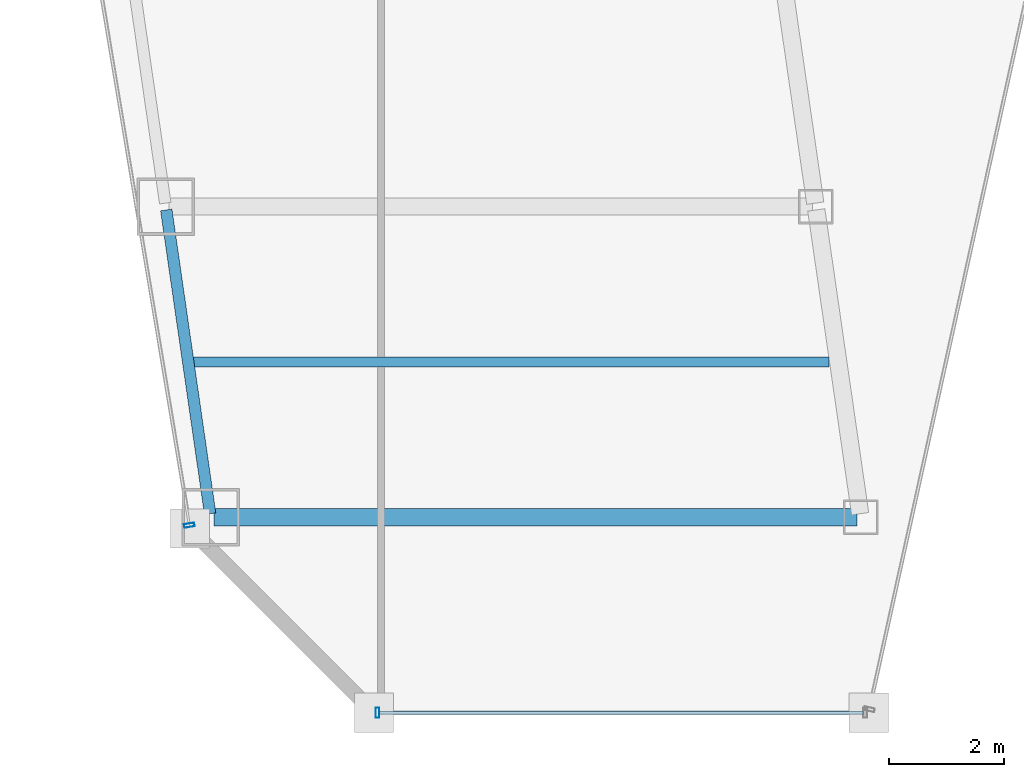
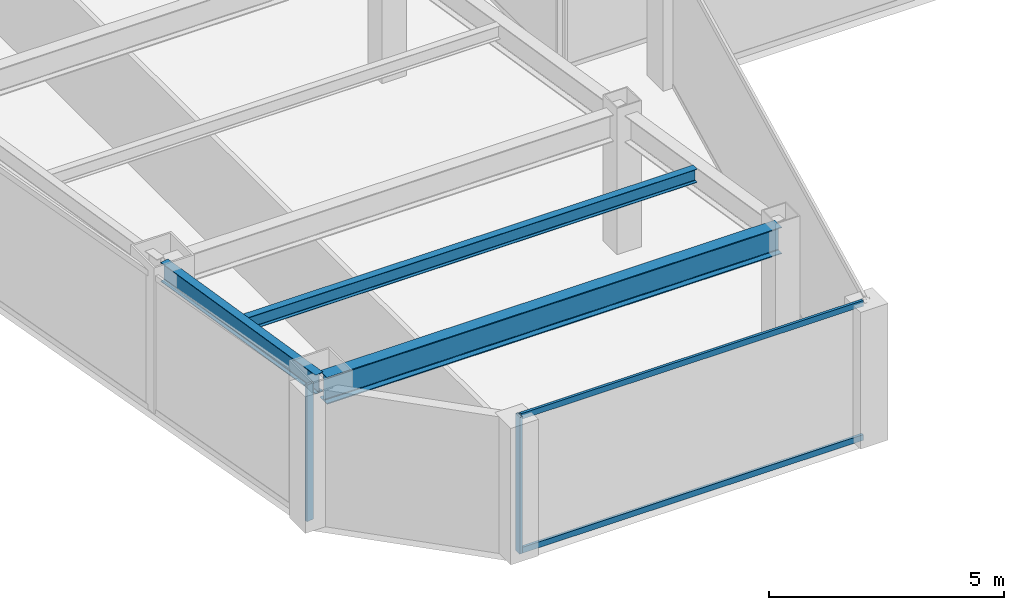
# One storey, part 2 of 36: 4 members, 3 beams, 2 elements without a shape of their own.
"""IFC4 building model written with IfcOpenShell, lengths in metres."""

import ifcopenshell
import ifcopenshell.guid

model = None  # the IFC model being written
_history = None  # IfcOwnerHistory: only IFC2X3 demands one
_inside = {}  # id of a spatial element -> (the spatial element, [elements in it])
_under = {}  # id of a project, library or spatial element -> (it, [spatial elements below it])
_declared = {}  # id of a project -> (the project, [libraries it declares])
_typed = {}  # id of a type object -> (the type object, [elements of that type])
_made_of = {}  # id of a material, layer set ... -> (it, [elements and type objects made of it])


def new_model(schema):
    """Start an empty IFC model of exactly this schema.

    Asked for "IFC4X3", IfcOpenShell would pick the latest addendum, in which some entities
    have other attributes; the version numbers below select the first issue.
    IFC2X3 requires an IfcOwnerHistory on every rooted entity: one is made here for all.
    """
    global model, _history
    if schema == "IFC4X3":
        model = ifcopenshell.file(schema_version=(4, 3, 0, 0))
    else:
        model = ifcopenshell.file(schema=schema)
    _inside.clear()
    _under.clear()
    _declared.clear()
    _typed.clear()
    _made_of.clear()
    _history = None
    if model.schema == "IFC2X3":
        org = make("IfcOrganization", Name="unknown")
        user = make(
            "IfcPersonAndOrganization",
            ThePerson=make("IfcPerson", FamilyName="unknown"),
            TheOrganization=org,
        )
        app = make(
            "IfcApplication",
            ApplicationDeveloper=org,
            Version="unknown",
            ApplicationFullName="unknown",
            ApplicationIdentifier="unknown",
        )
        _history = make(
            "IfcOwnerHistory",
            OwningUser=user,
            OwningApplication=app,
            ChangeAction="ADDED",
            CreationDate=0,
        )
    return model


def make(cls, **values):
    """One entity of the class cls with the attributes given. An attribute that is None is left unset."""
    return model.create_entity(
        cls, **{name: value for name, value in values.items() if value is not None}
    )


def rooted(cls, **values):
    """An entity with a GlobalId (a new one), such as an element, a storey or a relation."""
    return make(cls, GlobalId=ifcopenshell.guid.new(), OwnerHistory=_history, **values)


def si_unit(unit_type, name, prefix=None):
    """IfcSIUnit, for example si_unit("LENGTHUNIT", "METRE", prefix="MILLI")."""
    return make("IfcSIUnit", UnitType=unit_type, Prefix=prefix, Name=name)


def assignment(units):
    """IfcUnitAssignment: the units of a project."""
    return None if units is None else make("IfcUnitAssignment", Units=units)


def point(xyz):
    """IfcCartesianPoint."""
    return None if xyz is None else make("IfcCartesianPoint", Coordinates=xyz)


def direction(xyz):
    """IfcDirection."""
    return None if xyz is None else make("IfcDirection", DirectionRatios=xyz)


def frame(location, z_axis=None, x_axis=None):
    """IfcAxis2Placement3D, a coordinate frame: its origin and axes. An axis left out is left unset."""
    return make(
        "IfcAxis2Placement3D",
        Location=point(location),
        Axis=direction(z_axis),
        RefDirection=direction(x_axis),
    )


def frame_2d(location, x_axis=None):
    """IfcAxis2Placement2D, a coordinate frame in the plane: its origin and x axis."""
    return make(
        "IfcAxis2Placement2D", Location=point(location), RefDirection=direction(x_axis)
    )


def origin():
    """The frame at (0, 0, 0) with its axes left unset."""
    return frame((0.0, 0.0, 0.0))


def origin_2d():
    """The frame at (0, 0) in the plane with its x axis left unset."""
    return frame_2d((0.0, 0.0))


def place(relative_to, where):
    """IfcLocalPlacement: puts the frame where relative to a parent placement (None: the world)."""
    return make(
        "IfcLocalPlacement", PlacementRelTo=relative_to, RelativePlacement=where
    )


def context(
    kind, dimensions, precision=None, world=None, true_north=None, identifier=None
):
    """IfcGeometricRepresentationContext, for example the 3D "Model" context."""
    return make(
        "IfcGeometricRepresentationContext",
        ContextIdentifier=identifier,
        ContextType=kind,
        CoordinateSpaceDimension=dimensions,
        Precision=precision,
        WorldCoordinateSystem=world,
        TrueNorth=true_north,
    )


def subcontext(parent, identifier, kind, view, scale=None):
    """IfcGeometricRepresentationSubContext, for example "Body" below "Model"."""
    return make(
        "IfcGeometricRepresentationSubContext",
        ContextIdentifier=identifier,
        ContextType=kind,
        ParentContext=parent,
        TargetScale=scale,
        TargetView=view,
    )


def project(units=None, contexts=None):
    """IfcProject with its units and contexts."""
    return rooted(
        "IfcProject",
        Name="project",
        RepresentationContexts=contexts,
        UnitsInContext=assignment(units),
    )


def spatial(cls, under=None, at=None, **own):
    """A site, building, storey or space (cls), placed at a placement, below another one or the project."""
    s = rooted(cls, ObjectPlacement=at, **own)
    if under is not None:
        _under.setdefault(under.id(), (under, []))[1].append(s)
    return s


def profile(cls, at=None, kind="AREA", **sizes):
    """A parametric profile (cls). Its sizes go by their IFC names, for example OverallWidth=200.0."""
    return make(cls, ProfileType=kind, Position=at, **sizes)


def hollow_rectangle(**sizes):
    """IfcRectangleHollowProfileDef."""
    return profile("IfcRectangleHollowProfileDef", **sizes)


def i_section(**sizes):
    """IfcIShapeProfileDef."""
    return profile("IfcIShapeProfileDef", **sizes)


def extrude(swept, where, along, depth):
    """IfcExtrudedAreaSolid: the profile swept, set in the frame where, extruded along a direction by depth."""
    return make(
        "IfcExtrudedAreaSolid",
        SweptArea=swept,
        Position=where,
        ExtrudedDirection=direction(along),
        Depth=depth,
    )


def shape(context_of_items, identifier, shape_type, items):
    """IfcShapeRepresentation: the items that make up one representation, for example the "Body"."""
    return make(
        "IfcShapeRepresentation",
        ContextOfItems=context_of_items,
        RepresentationIdentifier=identifier,
        RepresentationType=shape_type,
        Items=items,
    )


def material(Name=None, Category=None):
    """IfcMaterial."""
    return make("IfcMaterial", Name=Name, Category=Category)


def material_profile(
    of_material, cross_section, Name=None, Category=None, Priority=None
):
    """IfcMaterialProfile: a cross section and its material."""
    return make(
        "IfcMaterialProfile",
        Name=Name,
        Material=of_material,
        Profile=cross_section,
        Priority=Priority,
        Category=Category,
    )


def profile_set(profiles, Name=None, composite=None):
    """IfcMaterialProfileSet."""
    return make(
        "IfcMaterialProfileSet",
        Name=Name,
        MaterialProfiles=profiles,
        CompositeProfile=composite,
    )


def made_of(thing, what):
    """Note that an element or type object is made of a material, layer set ...; save() writes the relation."""
    if what is not None:
        _made_of.setdefault(what.id(), (what, []))[1].append(thing)
    return thing


def type_object(cls, material=None, **own):
    """A type object (cls), such as IfcWallType, which elements share."""
    return made_of(rooted(cls, **own), material)


def element(
    cls,
    number,
    at=None,
    inside=None,
    cuts=None,
    type_object=None,
    material=None,
    context=None,
    identifier="Body",
    shape_type=None,
    held_by="IfcProductDefinitionShape",
    body=None,
    shapes=None,
    **own,
):
    """One element of the class cls, such as IfcWall. Its Tag is "e" and its number.

    at: its placement. inside: the storey or other place that contains it. cuts: it is an
    opening in that element (IfcRelVoidsElement). A single representation is given by context,
    identifier, shape_type and body (its items); several are given by shapes. held_by: the class
    of the entity that holds the representations. save() writes the other relations.
    """
    e = rooted(cls, Tag="e%d" % number, ObjectPlacement=at, **own)
    if body is not None:
        shapes = [shape(context, identifier, shape_type, body)]
    if shapes is not None:
        e.Representation = make(held_by, Representations=shapes)
    if inside is not None:
        _inside.setdefault(inside.id(), (inside, []))[1].append(e)
    if cuts is not None:
        rooted(
            "IfcRelVoidsElement", RelatingBuildingElement=cuts, RelatedOpeningElement=e
        )
    if type_object is not None:
        _typed.setdefault(type_object.id(), (type_object, []))[1].append(e)
    return made_of(e, material)


def aggregate(whole, parts):
    """IfcRelAggregates: a whole, such as a stair, and the parts it consists of."""
    return rooted("IfcRelAggregates", RelatingObject=whole, RelatedObjects=parts)


def save(model, path):
    """Write the relations noted so far, then the file.

    IfcRelAggregates (storeys below a building ...), IfcRelContainedInSpatialStructure (elements
    in a storey), IfcRelDefinesByType, IfcRelAssociatesMaterial and IfcRelDeclares: one each for
    every whole, place, type object, material and project.
    """
    for whole, parts in _under.values():
        aggregate(whole, parts)
    for where, things in _inside.values():
        rooted(
            "IfcRelContainedInSpatialStructure",
            RelatedElements=things,
            RelatingStructure=where,
        )
    for kind, things in _typed.values():
        rooted("IfcRelDefinesByType", RelatedObjects=things, RelatingType=kind)
    for what, things in _made_of.values():
        rooted("IfcRelAssociatesMaterial", RelatedObjects=things, RelatingMaterial=what)
    for by, libraries in _declared.values():
        rooted("IfcRelDeclares", RelatingContext=by, RelatedDefinitions=libraries)
    model.write(path)


model = new_model("IFC4")

# Units and contexts
model_context = context("Model", 3, precision=1e-05, world=origin(), true_north=direction((0.0, 1.0)))
body_context = subcontext(model_context, "Body", "Model", "MODEL_VIEW")
ifc_project = project(units=[si_unit("LENGTHUNIT", "METRE"), si_unit("AREAUNIT", "SQUARE_METRE"), si_unit("VOLUMEUNIT", "CUBIC_METRE"), si_unit("PLANEANGLEUNIT", "RADIAN"), si_unit("MASSUNIT", "GRAM", prefix="KILO")], contexts=[model_context])

# Site, building, storey
site_placement = place(None, origin())
site = spatial("IfcSite", under=ifc_project, at=site_placement, CompositionType="ELEMENT")
building_placement = place(site_placement, origin())
building = spatial("IfcBuilding", under=site, at=building_placement, Name="Saevonmaru Cultural Tower", CompositionType="ELEMENT")
storey_placement = place(building_placement, frame((0.0, 0.0, 156.199951171875)))
storey = spatial("IfcBuildingStorey", under=building, at=storey_placement, Name="L34", CompositionType="ELEMENT", Elevation=156.199951171875)

# Beams
ifc_material_1 = material(Name="Steel SM355", Category="steel")
ifc_material_profile_1 = material_profile(ifc_material_1, i_section(OverallWidth=0.300048828125, OverallDepth=0.699951171875, WebThickness=0.012939453125, FlangeThickness=0.02392578125, FilletRadius=0.02587890625, at=origin_2d()), Name="H-700x300x13x24")
ifc_profile_set_1 = profile_set([ifc_material_profile_1], Name="Steel SM355")
beam_type_1 = type_object("IfcBeamType", Name="BM-G-H700", PredefinedType="BEAM", material=ifc_profile_set_1)
beam_1_placement = place(storey_placement, frame((11.468017578125, 10.60009765625, 3.199951171875), z_axis=(1.0, 0.0, 0.0), x_axis=(0.0, 1.0, 0.0)))
element("IfcBeam", 1, at=beam_1_placement, inside=storey, type_object=beam_type_1, Name="L34 West Wing Transverse Girder 1", PredefinedType="BEAM", context=body_context, shape_type="SweptSolid", body=[
    extrude(i_section(OverallWidth=0.300048828125, OverallDepth=0.699951171875, WebThickness=0.012939453125, FlangeThickness=0.02392578125, FilletRadius=0.02587890625, at=origin_2d()), origin(), (0.0, 0.0, 1.0), 11.179931640625),
])
ifc_material_profile_2 = material_profile(ifc_material_1, i_section(OverallWidth=0.175048828125, OverallDepth=0.35009765625, WebThickness=0.007080078125, FlangeThickness=0.010986328125, FilletRadius=0.012939453125, at=origin_2d()), Name="H-350x175x7x11")
ifc_profile_set_2 = profile_set([ifc_material_profile_2], Name="Steel SM355")
beam_type_2 = type_object("IfcBeamType", Name="BM-J-H350", PredefinedType="JOIST", material=ifc_profile_set_2)
beam_2_placement = place(storey_placement, frame((11.077880859375, 13.300048828125, 3.375), z_axis=(1.0, 0.0, 0.0), x_axis=(0.0, 1.0, 0.0)))
element("IfcBeam", 2, at=beam_2_placement, inside=storey, type_object=beam_type_2, Name="L34 West Wing Floor Joist 1", PredefinedType="JOIST", context=body_context, shape_type="SweptSolid", body=[
    extrude(i_section(OverallWidth=0.175048828125, OverallDepth=0.35009765625, WebThickness=0.007080078125, FlangeThickness=0.010986328125, FilletRadius=0.012939453125, at=origin_2d()), origin(), (0.0, 0.0, 1.0), 11.08203125),
])
ifc_material_profile_3 = material_profile(ifc_material_1, i_section(OverallWidth=0.199951171875, OverallDepth=0.5, WebThickness=0.010009765625, FlangeThickness=0.01611328125, FilletRadius=0.02001953125, at=origin_2d()), Name="H-500x200x10x16")
ifc_profile_set_3 = profile_set([ifc_material_profile_3], Name="Steel SM355")
beam_type_3 = type_object("IfcBeamType", Name="BM-SP-H500", PredefinedType="SPANDREL", material=ifc_profile_set_3)
beam_3_placement = place(storey_placement, frame((11.3994140625, 10.659423828125, 3.300048828125), z_axis=(-0.1429328758, 0.989732384544, 0.0), x_axis=(-0.989732384544, -0.1429328758, 0.0)))
element("IfcBeam", 3, at=beam_3_placement, inside=storey, type_object=beam_type_3, Name="L34 West Splayed Spandrel 1", PredefinedType="SPANDREL", context=body_context, shape_type="SweptSolid", body=[
    extrude(i_section(OverallWidth=0.199951171875, OverallDepth=0.5, WebThickness=0.010009765625, FlangeThickness=0.01611328125, FilletRadius=0.02001953125, at=origin_2d()), origin(), (0.0, 0.0, 1.0), 5.3359375),
])

# Curtain wall, member
ifc_material_2 = material(Name="Satin Bronze Anodised Aluminium", Category="aluminium")
curtain_wall_type = type_object("IfcCurtainWallType", Name="CW-TYP-A", PredefinedType="NOTDEFINED", material=ifc_material_2)
curtain_wall_1_placement = place(storey_placement, origin())
curtain_wall_1 = element("IfcCurtainWall", 4, at=curtain_wall_1_placement, inside=storey, type_object=curtain_wall_type, Name="L34 Unitised Curtain Wall E2", PredefinedType="NOTDEFINED")
ifc_material_profile_4 = material_profile(ifc_material_2, hollow_rectangle(XDim=0.06494140625, YDim=0.179931640625, WallThickness=0.00390625, at=origin_2d()), Name="ALU-MULL-180x65x4")
ifc_profile_set_4 = profile_set([ifc_material_profile_4], Name="Satin Bronze Anodised Aluminium")
member_type_1 = type_object("IfcMemberType", Name="ML-CW-180x65", PredefinedType="MULLION", material=ifc_profile_set_4)
member_1_placement = place(storey_placement, frame((14.308837890625, 7.199951171875, 0.0), z_axis=(0.0, 0.0, 1.0), x_axis=(1.0, 0.0, 0.0)))
member_1 = element("IfcMember", 5, at=member_1_placement, type_object=member_type_1, Name="CW-TW-L34-E2 mullion 1", PredefinedType="MULLION", context=body_context, shape_type="SweptSolid", body=[
    extrude(hollow_rectangle(XDim=0.06494140625, YDim=0.179931640625, WallThickness=0.00390625, at=origin_2d()), origin(), (0.0, 0.0, 1.0), 3.550048828125),
])

curtain_wall_2_placement = place(storey_placement, origin())
curtain_wall_2 = element("IfcCurtainWall", 6, at=curtain_wall_2_placement, inside=storey, type_object=curtain_wall_type, Name="L34 Unitised Curtain Wall E12", PredefinedType="NOTDEFINED")
member_2_placement = place(storey_placement, frame((11.0390625, 10.459228515625, 0.0), z_axis=(0.0, 0.0, 1.0), x_axis=(0.163998702345, -0.986460554523, 0.0)))
member_2 = element("IfcMember", 7, at=member_2_placement, type_object=member_type_1, Name="CW-TW-L34-E12 mullion 5", PredefinedType="MULLION", context=body_context, shape_type="SweptSolid", body=[
    extrude(hollow_rectangle(XDim=0.06494140625, YDim=0.179931640625, WallThickness=0.00390625, at=origin_2d()), origin(), (0.0, 0.0, 1.0), 3.550048828125),
])
aggregate(curtain_wall_2, [member_2])

# Member
ifc_material_profile_5 = material_profile(ifc_material_2, hollow_rectangle(XDim=0.06494140625, YDim=0.14990234375, WallThickness=0.00390625, at=origin_2d()), Name="ALU-TRAN-150x65x4")
ifc_profile_set_5 = profile_set([ifc_material_profile_5], Name="Satin Bronze Anodised Aluminium")
member_type_2 = type_object("IfcMemberType", Name="TR-CW-150x65", PredefinedType="USERDEFINED", material=ifc_profile_set_5)
member_3_placement = place(storey_placement, frame((14.34130859375, 7.199951171875, 0.032470703125), z_axis=(1.0, 0.0, 0.0), x_axis=(0.0, 1.0, 0.0)))
member_3 = element("IfcMember", 8, at=member_3_placement, type_object=member_type_2, Name="CW-TW-L34-E2 transom 1.1", ObjectType="TRANSOM", PredefinedType="USERDEFINED", context=body_context, shape_type="SweptSolid", body=[
    extrude(hollow_rectangle(XDim=0.06494140625, YDim=0.14990234375, WallThickness=0.00390625, at=origin_2d()), origin(), (0.0, 0.0, 1.0), 8.4150390625),
])

member_4_placement = place(storey_placement, frame((14.34130859375, 7.199951171875, 3.517578125), z_axis=(1.0, 0.0, 0.0), x_axis=(0.0, 1.0, 0.0)))
member_4 = element("IfcMember", 9, at=member_4_placement, type_object=member_type_2, Name="CW-TW-L34-E2 transom 1.2", ObjectType="TRANSOM", PredefinedType="USERDEFINED", context=body_context, shape_type="SweptSolid", body=[
    extrude(hollow_rectangle(XDim=0.06494140625, YDim=0.14990234375, WallThickness=0.00390625, at=origin_2d()), origin(), (0.0, 0.0, 1.0), 8.4150390625),
])

aggregate(curtain_wall_1, [member_1, member_3, member_4])

save(model, "model.ifc")
